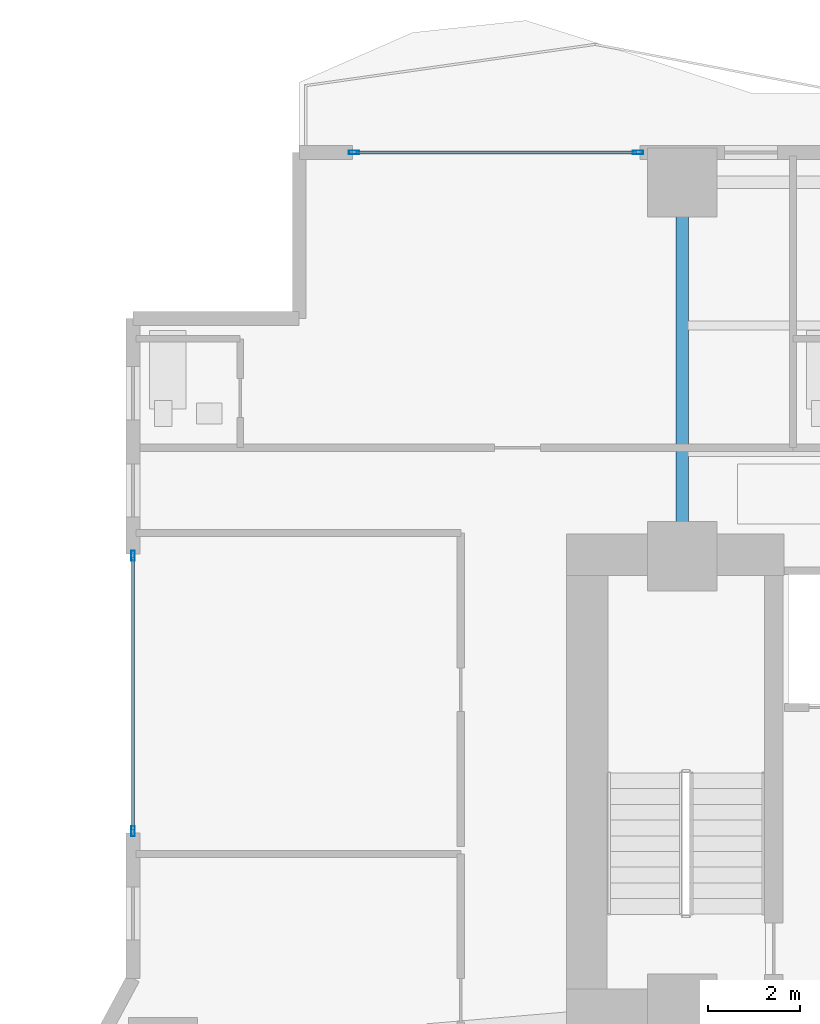
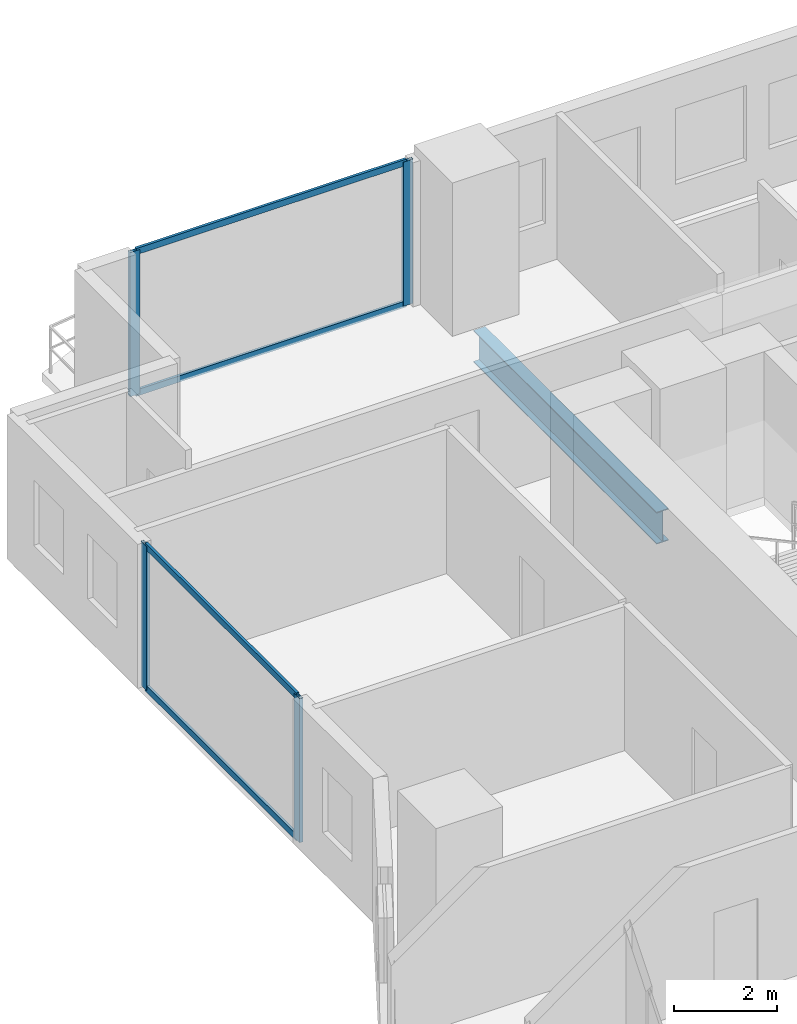
# One storey, part 13 of 28: 8 members, 1 beam, 2 elements without a shape of their own.
"""IFC4 building model written with IfcOpenShell, lengths in metres."""

import ifcopenshell
import ifcopenshell.guid

model = None  # the IFC model being written
_history = None  # IfcOwnerHistory: only IFC2X3 demands one
_inside = {}  # id of a spatial element -> (the spatial element, [elements in it])
_under = {}  # id of a project, library or spatial element -> (it, [spatial elements below it])
_declared = {}  # id of a project -> (the project, [libraries it declares])
_typed = {}  # id of a type object -> (the type object, [elements of that type])
_made_of = {}  # id of a material, layer set ... -> (it, [elements and type objects made of it])


def new_model(schema):
    """Start an empty IFC model of exactly this schema.

    Asked for "IFC4X3", IfcOpenShell would pick the latest addendum, in which some entities
    have other attributes; the version numbers below select the first issue.
    IFC2X3 requires an IfcOwnerHistory on every rooted entity: one is made here for all.
    """
    global model, _history
    if schema == "IFC4X3":
        model = ifcopenshell.file(schema_version=(4, 3, 0, 0))
    else:
        model = ifcopenshell.file(schema=schema)
    _inside.clear()
    _under.clear()
    _declared.clear()
    _typed.clear()
    _made_of.clear()
    _history = None
    if model.schema == "IFC2X3":
        org = make("IfcOrganization", Name="unknown")
        user = make(
            "IfcPersonAndOrganization",
            ThePerson=make("IfcPerson", FamilyName="unknown"),
            TheOrganization=org,
        )
        app = make(
            "IfcApplication",
            ApplicationDeveloper=org,
            Version="unknown",
            ApplicationFullName="unknown",
            ApplicationIdentifier="unknown",
        )
        _history = make(
            "IfcOwnerHistory",
            OwningUser=user,
            OwningApplication=app,
            ChangeAction="ADDED",
            CreationDate=0,
        )
    return model


def make(cls, **values):
    """One entity of the class cls with the attributes given. An attribute that is None is left unset."""
    return model.create_entity(
        cls, **{name: value for name, value in values.items() if value is not None}
    )


def rooted(cls, **values):
    """An entity with a GlobalId (a new one), such as an element, a storey or a relation."""
    return make(cls, GlobalId=ifcopenshell.guid.new(), OwnerHistory=_history, **values)


def si_unit(unit_type, name, prefix=None):
    """IfcSIUnit, for example si_unit("LENGTHUNIT", "METRE", prefix="MILLI")."""
    return make("IfcSIUnit", UnitType=unit_type, Prefix=prefix, Name=name)


def assignment(units):
    """IfcUnitAssignment: the units of a project."""
    return None if units is None else make("IfcUnitAssignment", Units=units)


def point(xyz):
    """IfcCartesianPoint."""
    return None if xyz is None else make("IfcCartesianPoint", Coordinates=xyz)


def direction(xyz):
    """IfcDirection."""
    return None if xyz is None else make("IfcDirection", DirectionRatios=xyz)


def frame(location, z_axis=None, x_axis=None):
    """IfcAxis2Placement3D, a coordinate frame: its origin and axes. An axis left out is left unset."""
    return make(
        "IfcAxis2Placement3D",
        Location=point(location),
        Axis=direction(z_axis),
        RefDirection=direction(x_axis),
    )


def frame_2d(location, x_axis=None):
    """IfcAxis2Placement2D, a coordinate frame in the plane: its origin and x axis."""
    return make(
        "IfcAxis2Placement2D", Location=point(location), RefDirection=direction(x_axis)
    )


def origin():
    """The frame at (0, 0, 0) with its axes left unset."""
    return frame((0.0, 0.0, 0.0))


def origin_2d():
    """The frame at (0, 0) in the plane with its x axis left unset."""
    return frame_2d((0.0, 0.0))


def place(relative_to, where):
    """IfcLocalPlacement: puts the frame where relative to a parent placement (None: the world)."""
    return make(
        "IfcLocalPlacement", PlacementRelTo=relative_to, RelativePlacement=where
    )


def context(
    kind, dimensions, precision=None, world=None, true_north=None, identifier=None
):
    """IfcGeometricRepresentationContext, for example the 3D "Model" context."""
    return make(
        "IfcGeometricRepresentationContext",
        ContextIdentifier=identifier,
        ContextType=kind,
        CoordinateSpaceDimension=dimensions,
        Precision=precision,
        WorldCoordinateSystem=world,
        TrueNorth=true_north,
    )


def subcontext(parent, identifier, kind, view, scale=None):
    """IfcGeometricRepresentationSubContext, for example "Body" below "Model"."""
    return make(
        "IfcGeometricRepresentationSubContext",
        ContextIdentifier=identifier,
        ContextType=kind,
        ParentContext=parent,
        TargetScale=scale,
        TargetView=view,
    )


def project(units=None, contexts=None):
    """IfcProject with its units and contexts."""
    return rooted(
        "IfcProject",
        Name="project",
        RepresentationContexts=contexts,
        UnitsInContext=assignment(units),
    )


def spatial(cls, under=None, at=None, **own):
    """A site, building, storey or space (cls), placed at a placement, below another one or the project."""
    s = rooted(cls, ObjectPlacement=at, **own)
    if under is not None:
        _under.setdefault(under.id(), (under, []))[1].append(s)
    return s


def profile(cls, at=None, kind="AREA", **sizes):
    """A parametric profile (cls). Its sizes go by their IFC names, for example OverallWidth=200.0."""
    return make(cls, ProfileType=kind, Position=at, **sizes)


def hollow_rectangle(**sizes):
    """IfcRectangleHollowProfileDef."""
    return profile("IfcRectangleHollowProfileDef", **sizes)


def i_section(**sizes):
    """IfcIShapeProfileDef."""
    return profile("IfcIShapeProfileDef", **sizes)


def extrude(swept, where, along, depth):
    """IfcExtrudedAreaSolid: the profile swept, set in the frame where, extruded along a direction by depth."""
    return make(
        "IfcExtrudedAreaSolid",
        SweptArea=swept,
        Position=where,
        ExtrudedDirection=direction(along),
        Depth=depth,
    )


def shape(context_of_items, identifier, shape_type, items):
    """IfcShapeRepresentation: the items that make up one representation, for example the "Body"."""
    return make(
        "IfcShapeRepresentation",
        ContextOfItems=context_of_items,
        RepresentationIdentifier=identifier,
        RepresentationType=shape_type,
        Items=items,
    )


def material(Name=None, Category=None):
    """IfcMaterial."""
    return make("IfcMaterial", Name=Name, Category=Category)


def layer(
    of_material, thickness, ventilated=None, Name=None, Category=None, Priority=None
):
    """IfcMaterialLayer: one layer of a wall or slab, of a material (None: an air gap)."""
    return make(
        "IfcMaterialLayer",
        Material=of_material,
        LayerThickness=thickness,
        IsVentilated=ventilated,
        Name=Name,
        Category=Category,
        Priority=Priority,
    )


def layer_set(layers, Name=None):
    """IfcMaterialLayerSet."""
    return make("IfcMaterialLayerSet", MaterialLayers=layers, LayerSetName=Name)


def material_profile(
    of_material, cross_section, Name=None, Category=None, Priority=None
):
    """IfcMaterialProfile: a cross section and its material."""
    return make(
        "IfcMaterialProfile",
        Name=Name,
        Material=of_material,
        Profile=cross_section,
        Priority=Priority,
        Category=Category,
    )


def profile_set(profiles, Name=None, composite=None):
    """IfcMaterialProfileSet."""
    return make(
        "IfcMaterialProfileSet",
        Name=Name,
        MaterialProfiles=profiles,
        CompositeProfile=composite,
    )


def made_of(thing, what):
    """Note that an element or type object is made of a material, layer set ...; save() writes the relation."""
    if what is not None:
        _made_of.setdefault(what.id(), (what, []))[1].append(thing)
    return thing


def type_object(cls, material=None, **own):
    """A type object (cls), such as IfcWallType, which elements share."""
    return made_of(rooted(cls, **own), material)


def element(
    cls,
    number,
    at=None,
    inside=None,
    cuts=None,
    type_object=None,
    material=None,
    context=None,
    identifier="Body",
    shape_type=None,
    held_by="IfcProductDefinitionShape",
    body=None,
    shapes=None,
    **own,
):
    """One element of the class cls, such as IfcWall. Its Tag is "e" and its number.

    at: its placement. inside: the storey or other place that contains it. cuts: it is an
    opening in that element (IfcRelVoidsElement). A single representation is given by context,
    identifier, shape_type and body (its items); several are given by shapes. held_by: the class
    of the entity that holds the representations. save() writes the other relations.
    """
    e = rooted(cls, Tag="e%d" % number, ObjectPlacement=at, **own)
    if body is not None:
        shapes = [shape(context, identifier, shape_type, body)]
    if shapes is not None:
        e.Representation = make(held_by, Representations=shapes)
    if inside is not None:
        _inside.setdefault(inside.id(), (inside, []))[1].append(e)
    if cuts is not None:
        rooted(
            "IfcRelVoidsElement", RelatingBuildingElement=cuts, RelatedOpeningElement=e
        )
    if type_object is not None:
        _typed.setdefault(type_object.id(), (type_object, []))[1].append(e)
    return made_of(e, material)


def aggregate(whole, parts):
    """IfcRelAggregates: a whole, such as a stair, and the parts it consists of."""
    return rooted("IfcRelAggregates", RelatingObject=whole, RelatedObjects=parts)


def save(model, path):
    """Write the relations noted so far, then the file.

    IfcRelAggregates (storeys below a building ...), IfcRelContainedInSpatialStructure (elements
    in a storey), IfcRelDefinesByType, IfcRelAssociatesMaterial and IfcRelDeclares: one each for
    every whole, place, type object, material and project.
    """
    for whole, parts in _under.values():
        aggregate(whole, parts)
    for where, things in _inside.values():
        rooted(
            "IfcRelContainedInSpatialStructure",
            RelatedElements=things,
            RelatingStructure=where,
        )
    for kind, things in _typed.values():
        rooted("IfcRelDefinesByType", RelatedObjects=things, RelatingType=kind)
    for what, things in _made_of.values():
        rooted("IfcRelAssociatesMaterial", RelatedObjects=things, RelatingMaterial=what)
    for by, libraries in _declared.values():
        rooted("IfcRelDeclares", RelatingContext=by, RelatedDefinitions=libraries)
    model.write(path)


model = new_model("IFC4")

# Units and contexts
model_context = context("Model", 3, precision=1e-05, world=origin(), true_north=direction((0.0, 1.0)))
body_context = subcontext(model_context, "Body", "Model", "MODEL_VIEW")
ifc_project = project(units=[si_unit("LENGTHUNIT", "METRE"), si_unit("AREAUNIT", "SQUARE_METRE"), si_unit("VOLUMEUNIT", "CUBIC_METRE"), si_unit("PLANEANGLEUNIT", "RADIAN"), si_unit("MASSUNIT", "GRAM", prefix="KILO")], contexts=[model_context])

# Site, building, storey
site_placement = place(None, origin())
site = spatial("IfcSite", under=ifc_project, at=site_placement, CompositionType="ELEMENT")
building_placement = place(site_placement, origin())
building = spatial("IfcBuilding", under=site, at=building_placement, Name="Zuhayl Quay Hotel", CompositionType="ELEMENT")
storey_placement = place(building_placement, frame((0.0, 0.0, 71.39990234375)))
storey = spatial("IfcBuildingStorey", under=building, at=storey_placement, Name="L17", CompositionType="ELEMENT", Elevation=71.39990234375)

# Beam
ifc_material_1 = material(Name="Steel ASTM A992 Grade 50", Category="steel")
ifc_material_profile_1 = material_profile(ifc_material_1, i_section(OverallWidth=0.26708984375, OverallDepth=0.761962890625, WebThickness=0.014404296875, FlangeThickness=0.021484375, at=origin_2d()), Name="W30X116")
ifc_profile_set_1 = profile_set([ifc_material_profile_1], Name="Steel ASTM A992 Grade 50")
beam_type = type_object("IfcBeamType", Name="BM_B1_W30X116", PredefinedType="BEAM", material=ifc_profile_set_1)
beam_placement = place(storey_placement, frame((-13.800048828125, 14.800048828125, -0.600830078125), z_axis=(0.0, 1.0, 0.0), x_axis=(-1.0, 0.0, 0.0)))
element("IfcBeam", 1, at=beam_placement, inside=storey, type_object=beam_type, Name="L17 Floor Beam FG_N_L17_1", PredefinedType="BEAM", context=body_context, shape_type="SweptSolid", body=[
    extrude(i_section(OverallWidth=0.26708984375, OverallDepth=0.761962890625, WebThickness=0.014404296875, FlangeThickness=0.021484375, at=origin_2d()), origin(), (0.0, 0.0, 1.0), 7.14990234375),
])

# Curtain wall, members
ifc_material_2 = material(Name="Anodised Aluminium 6063-T6", Category="aluminium")
ifc_layer = layer(ifc_material_2, 0.18994140625, Name="Anodised Aluminium 6063-T6", Category="aluminium")
ifc_layer_set = layer_set([ifc_layer], Name="Anodised Aluminium 6063-T6")
curtain_wall_type = type_object("IfcCurtainWallType", Name="CW_SYS_Z1", PredefinedType="USERDEFINED", material=ifc_layer_set)
curtain_wall_1_placement = place(storey_placement, origin())
curtain_wall_1 = element("IfcCurtainWall", 2, at=curtain_wall_1_placement, inside=storey, type_object=curtain_wall_type, Name="L17 Curtain Wall ENV_L17_E05_CW1", ObjectType="UNITISED CURTAIN WALL", PredefinedType="USERDEFINED")
ifc_material_3 = material(Name="Black-anodised aluminium 6063-T6", Category="aluminium")
ifc_material_profile_2 = material_profile(ifc_material_3, hollow_rectangle(XDim=0.074951171875, YDim=0.219970703125, WallThickness=0.00390625, at=origin_2d()), Name="ALU220X75")
ifc_profile_set_2 = profile_set([ifc_material_profile_2], Name="Black-anodised aluminium 6063-T6")
member_type_1 = type_object("IfcMemberType", Name="MB_CW_MUL_220", PredefinedType="MULLION", material=ifc_profile_set_2)
member_1_placement = place(storey_placement, frame((-25.699951171875, 8.387451171875, 0.0), z_axis=(0.0, 0.0, 1.0), x_axis=(-1.0, 0.0, 0.0)))
member_1 = element("IfcMember", 3, at=member_1_placement, type_object=member_type_1, Name="CW-Z1 mullion 1", PredefinedType="MULLION", context=body_context, shape_type="SweptSolid", body=[
    extrude(hollow_rectangle(XDim=0.074951171875, YDim=0.219970703125, WallThickness=0.00390625, at=origin_2d()), origin(), (0.0, 0.0, 1.0), 3.43017578125),
])
member_2_placement = place(storey_placement, frame((-25.699951171875, 14.362548828125, 0.0), z_axis=(0.0, 0.0, 1.0), x_axis=(-1.0, 0.0, 0.0)))
member_2 = element("IfcMember", 4, at=member_2_placement, type_object=member_type_1, Name="CW-Z1 mullion 2", PredefinedType="MULLION", context=body_context, shape_type="SweptSolid", body=[
    extrude(hollow_rectangle(XDim=0.074951171875, YDim=0.219970703125, WallThickness=0.00390625, at=origin_2d()), origin(), (0.0, 0.0, 1.0), 3.43017578125),
])

curtain_wall_2_placement = place(storey_placement, origin())
curtain_wall_2 = element("IfcCurtainWall", 5, at=curtain_wall_2_placement, inside=storey, type_object=curtain_wall_type, Name="L17 Curtain Wall ENV_L17_N_CW1", ObjectType="UNITISED CURTAIN WALL", PredefinedType="USERDEFINED")
member_3_placement = place(storey_placement, frame((-20.91259765625, 23.10009765625, 0.0), z_axis=(0.0, 0.0, 1.0), x_axis=(0.0, 1.0, 0.0)))
member_3 = element("IfcMember", 6, at=member_3_placement, type_object=member_type_1, Name="CW-Z1 mullion 1", PredefinedType="MULLION", context=body_context, shape_type="SweptSolid", body=[
    extrude(hollow_rectangle(XDim=0.074951171875, YDim=0.219970703125, WallThickness=0.00390625, at=origin_2d()), origin(), (0.0, 0.0, 1.0), 3.43017578125),
])
member_4_placement = place(storey_placement, frame((-14.757568359375, 23.10009765625, 0.0), z_axis=(0.0, 0.0, 1.0), x_axis=(0.0, 1.0, 0.0)))
member_4 = element("IfcMember", 7, at=member_4_placement, type_object=member_type_1, Name="CW-Z1 mullion 2", PredefinedType="MULLION", context=body_context, shape_type="SweptSolid", body=[
    extrude(hollow_rectangle(XDim=0.074951171875, YDim=0.219970703125, WallThickness=0.00390625, at=origin_2d()), origin(), (0.0, 0.0, 1.0), 3.43017578125),
])

# Member
ifc_material_profile_3 = material_profile(ifc_material_3, hollow_rectangle(XDim=0.06005859375, YDim=0.14990234375, WallThickness=0.00341796875, at=origin_2d()), Name="ALU150X60")
ifc_profile_set_3 = profile_set([ifc_material_profile_3], Name="Black-anodised aluminium 6063-T6")
member_type_2 = type_object("IfcMemberType", Name="MB_CW_TRN_150", PredefinedType="USERDEFINED", material=ifc_profile_set_3)
member_5_placement = place(storey_placement, frame((-25.699951171875, 8.425048828125, 0.030029296875), z_axis=(0.0, 1.0, 0.0), x_axis=(-1.0, 0.0, 0.0)))
member_5 = element("IfcMember", 8, at=member_5_placement, type_object=member_type_2, Name="CW-Z1 transom 1.1", ObjectType="TRANSOM", PredefinedType="USERDEFINED", context=body_context, shape_type="SweptSolid", body=[
    extrude(hollow_rectangle(XDim=0.06005859375, YDim=0.14990234375, WallThickness=0.00341796875, at=origin_2d()), origin(), (0.0, 0.0, 1.0), 5.89990234375),
])

member_6_placement = place(storey_placement, frame((-25.699951171875, 8.425048828125, 3.400146484375), z_axis=(0.0, 1.0, 0.0), x_axis=(-1.0, 0.0, 0.0)))
member_6 = element("IfcMember", 9, at=member_6_placement, type_object=member_type_2, Name="CW-Z1 transom 1.2", ObjectType="TRANSOM", PredefinedType="USERDEFINED", context=body_context, shape_type="SweptSolid", body=[
    extrude(hollow_rectangle(XDim=0.06005859375, YDim=0.14990234375, WallThickness=0.00341796875, at=origin_2d()), origin(), (0.0, 0.0, 1.0), 5.89990234375),
])

aggregate(curtain_wall_1, [member_1, member_2, member_5, member_6])

member_7_placement = place(storey_placement, frame((-20.875, 23.10009765625, 0.030029296875), z_axis=(1.0, 0.0, 0.0), x_axis=(0.0, 1.0, 0.0)))
member_7 = element("IfcMember", 10, at=member_7_placement, type_object=member_type_2, Name="CW-Z1 transom 1.1", ObjectType="TRANSOM", PredefinedType="USERDEFINED", context=body_context, shape_type="SweptSolid", body=[
    extrude(hollow_rectangle(XDim=0.06005859375, YDim=0.14990234375, WallThickness=0.00341796875, at=origin_2d()), origin(), (0.0, 0.0, 1.0), 6.080078125),
])

member_8_placement = place(storey_placement, frame((-20.875, 23.10009765625, 3.400146484375), z_axis=(1.0, 0.0, 0.0), x_axis=(0.0, 1.0, 0.0)))
member_8 = element("IfcMember", 11, at=member_8_placement, type_object=member_type_2, Name="CW-Z1 transom 1.2", ObjectType="TRANSOM", PredefinedType="USERDEFINED", context=body_context, shape_type="SweptSolid", body=[
    extrude(hollow_rectangle(XDim=0.06005859375, YDim=0.14990234375, WallThickness=0.00341796875, at=origin_2d()), origin(), (0.0, 0.0, 1.0), 6.080078125),
])

aggregate(curtain_wall_2, [member_3, member_4, member_7, member_8])

save(model, "model.ifc")
